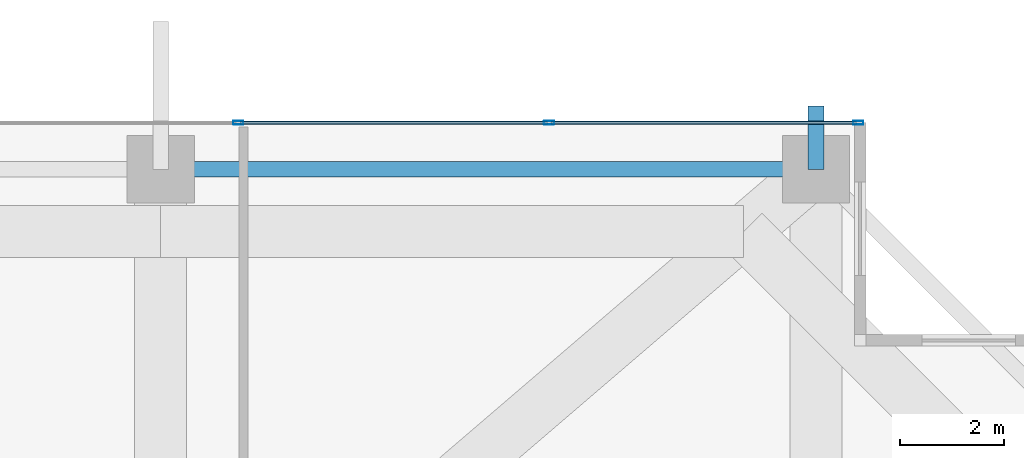
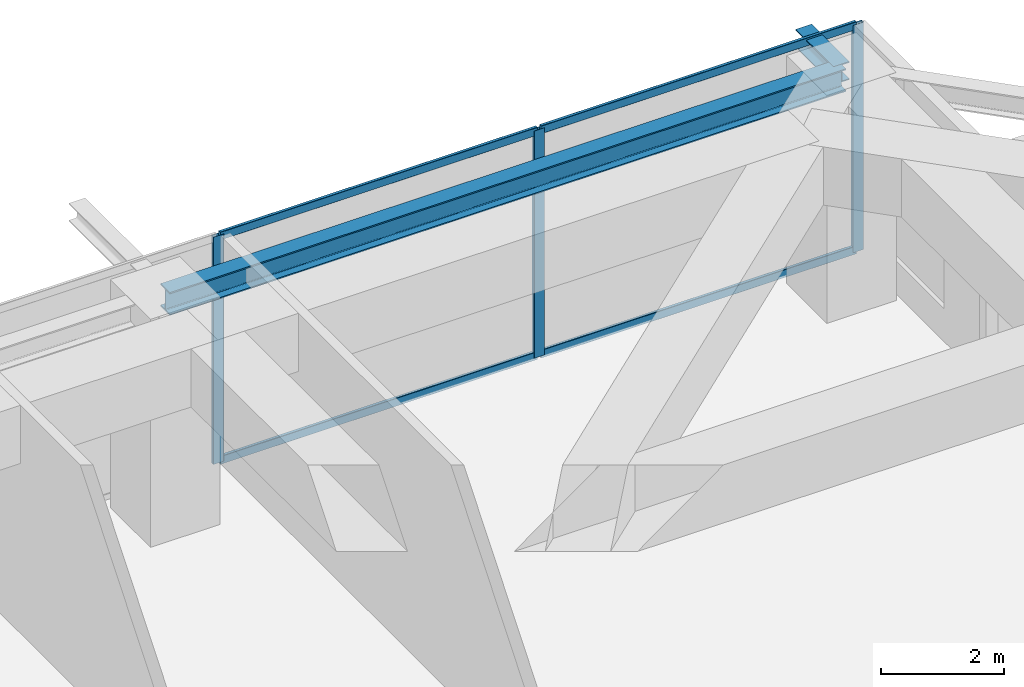
# One storey, part 26 of 35: 7 members, 2 beams, 1 element without a shape of its own.
"""IFC4 building model written with IfcOpenShell, lengths in metres."""

from ifc_helpers import new_model, si_unit, direction, frame, origin, origin_2d, place, context, subcontext, project, spatial, hollow_rectangle, i_section, extrude, source, transform, mapped, material, layer, layer_set, material_profile, profile_set, type_object, element, aggregate, save


model = new_model("IFC4")

# Units and contexts
model_context = context("Model", 3, precision=1e-05, world=origin(), true_north=direction((0.0, 1.0)))
body_context = subcontext(model_context, "Body", "Model", "MODEL_VIEW")
ifc_project = project(units=[si_unit("LENGTHUNIT", "METRE"), si_unit("AREAUNIT", "SQUARE_METRE"), si_unit("VOLUMEUNIT", "CUBIC_METRE"), si_unit("PLANEANGLEUNIT", "RADIAN"), si_unit("MASSUNIT", "GRAM", prefix="KILO")], contexts=[model_context])

# Site, building, storey
site_placement = place(None, origin())
site = spatial("IfcSite", under=ifc_project, at=site_placement, CompositionType="ELEMENT")
building_placement = place(site_placement, origin())
building = spatial("IfcBuilding", under=site, at=building_placement, Name="Serunith Strait Residences", CompositionType="ELEMENT")
storey_placement = place(building_placement, frame((0.0, 0.0, 115.199951171875)))
storey = spatial("IfcBuildingStorey", under=building, at=storey_placement, Name="L28", CompositionType="ELEMENT", Elevation=115.199951171875)

# Beams
ifc_material_1 = material(Name="Steel S355J2", Category="steel")
ifc_material_profile_1 = material_profile(ifc_material_1, i_section(OverallWidth=0.300048828125, OverallDepth=0.449951171875, WebThickness=0.013916015625, FlangeThickness=0.02587890625, FilletRadius=0.027099609375, at=origin_2d()), Name="HEB 450")
ifc_profile_set_1 = profile_set([ifc_material_profile_1], Name="Steel S355J2")
beam_type_1 = type_object("IfcBeamType", Name="BM-HEB450", PredefinedType="BEAM", material=ifc_profile_set_1)
shared_shape_1 = source(origin(), body_context, "Body", "SweptSolid", [
    extrude(i_section(OverallWidth=0.300048828125, OverallDepth=0.449951171875, WebThickness=0.013916015625, FlangeThickness=0.02587890625, FilletRadius=0.027099609375, at=origin_2d()), origin(), (0.0, 0.0, 1.0), 12.650146484375),
])
beam_1_placement = place(storey_placement, frame((49.550048828125, 49.300048828125, 4.281982421875), z_axis=(-1.0, 0.0, 0.0), x_axis=(0.0, -1.0, 0.0)))
element("IfcBeam", 1, at=beam_1_placement, inside=storey, type_object=beam_type_1, Name="L28 Perimeter Ring Beam 09", PredefinedType="BEAM", context=body_context, shape_type="MappedRepresentation", body=[
    mapped(shared_shape_1, transform((0.0, 0.0, 0.0), scale=1.0)),
])
ifc_material_profile_2 = material_profile(ifc_material_1, i_section(OverallWidth=0.300048828125, OverallDepth=0.360107421875, WebThickness=0.012451171875, FlangeThickness=0.0224609375, FilletRadius=0.027099609375, at=origin_2d()), Name="HEB 360")
ifc_profile_set_2 = profile_set([ifc_material_profile_2], Name="Steel S355J2")
beam_type_2 = type_object("IfcBeamType", Name="BM-HEB360", PredefinedType="BEAM", material=ifc_profile_set_2)
shared_shape_2 = source(origin(), body_context, "Body", "SweptSolid", [
    extrude(i_section(OverallWidth=0.300048828125, OverallDepth=0.360107421875, WebThickness=0.012451171875, FlangeThickness=0.0224609375, FilletRadius=0.027099609375, at=origin_2d()), origin(), (0.0, 0.0, 1.0), 1.222900390625),
])
beam_2_placement = place(storey_placement, frame((49.550048828125, 49.300048828125, 4.3271484375), z_axis=(0.0, 1.0, 0.0), x_axis=(-1.0, 0.0, 0.0)))
element("IfcBeam", 2, at=beam_2_placement, inside=storey, type_object=beam_type_2, Name="L29 Cantilevered Balcony Rib TC-N4", PredefinedType="BEAM", context=body_context, shape_type="MappedRepresentation", body=[
    mapped(shared_shape_2, transform((0.0, 0.0, 0.0), scale=1.0)),
])

# Curtain wall, members
ifc_material_2 = material(Name="Pale-Champagne Anodised Aluminium", Category="aluminium")
ifc_layer = layer(ifc_material_2, 0.199951171875, Name="Pale-Champagne Anodised Aluminium")
ifc_layer_set = layer_set([ifc_layer], Name="Pale-Champagne Anodised Aluminium")
curtain_wall_type = type_object("IfcCurtainWallType", Name="CW-SYS1", PredefinedType="NOTDEFINED", material=ifc_layer_set)
curtain_wall_placement = place(storey_placement, origin())
curtain_wall = element("IfcCurtainWall", 3, at=curtain_wall_placement, inside=storey, type_object=curtain_wall_type, Name="L28 N Unitised Fritted Curtain Wall", PredefinedType="NOTDEFINED")
ifc_material_profile_3 = material_profile(ifc_material_2, hollow_rectangle(XDim=0.06005859375, YDim=0.159912109375, WallThickness=0.00341796875, InnerFilletRadius=0.00537109375, OuterFilletRadius=0.0087890625, at=origin_2d()), Name="ALU 160x60x3.5")
ifc_profile_set_3 = profile_set([ifc_material_profile_3], Name="Pale-Champagne Anodised Aluminium")
member_type_1 = type_object("IfcMemberType", Name="CW-SYS1-TRAN", PredefinedType="USERDEFINED", material=ifc_profile_set_3)
shared_shape_3 = source(origin(), body_context, "Body", "SweptSolid", [
    extrude(hollow_rectangle(XDim=0.06005859375, YDim=0.159912109375, WallThickness=0.00341796875, InnerFilletRadius=0.00537109375, OuterFilletRadius=0.0087890625, at=origin_2d()), origin(), (0.0, 0.0, 1.0), 5.89501953125),
])
member_1_placement = place(storey_placement, frame((50.330078125, 50.199951171875, 0.030029296875), z_axis=(-1.0, 0.0, 0.0), x_axis=(0.0, -1.0, 0.0)))
member_1 = element("IfcMember", 4, at=member_1_placement, type_object=member_type_1, Name="CW-1 transom 1.1", ObjectType="TRANSOM", PredefinedType="USERDEFINED", context=body_context, shape_type="MappedRepresentation", body=[
    mapped(shared_shape_3, transform((0.0, 0.0, 0.0), scale=1.0)),
])
member_2_placement = place(storey_placement, frame((50.330078125, 50.199951171875, 4.465087890625), z_axis=(-1.0, 0.0, 0.0), x_axis=(0.0, -1.0, 0.0)))
member_2 = element("IfcMember", 5, at=member_2_placement, type_object=member_type_1, Name="CW-1 transom 1.2", ObjectType="TRANSOM", PredefinedType="USERDEFINED", context=body_context, shape_type="MappedRepresentation", body=[
    mapped(shared_shape_3, transform((0.0, 0.0, 0.0), scale=1.0)),
])
shared_shape_4 = source(origin(), body_context, "Body", "SweptSolid", [
    extrude(hollow_rectangle(XDim=0.06005859375, YDim=0.159912109375, WallThickness=0.00341796875, InnerFilletRadius=0.00537109375, OuterFilletRadius=0.0087890625, at=origin_2d()), origin(), (0.0, 0.0, 1.0), 5.929931640625),
])
member_3_placement = place(storey_placement, frame((44.364990234375, 50.199951171875, 0.030029296875), z_axis=(-1.0, 0.0, 0.0), x_axis=(0.0, -1.0, 0.0)))
member_3 = element("IfcMember", 6, at=member_3_placement, type_object=member_type_1, Name="CW-1 transom 2.1", ObjectType="TRANSOM", PredefinedType="USERDEFINED", context=body_context, shape_type="MappedRepresentation", body=[
    mapped(shared_shape_4, transform((0.0, 0.0, 0.0), scale=1.0)),
])
member_4_placement = place(storey_placement, frame((44.364990234375, 50.199951171875, 4.465087890625), z_axis=(-1.0, 0.0, 0.0), x_axis=(0.0, -1.0, 0.0)))
member_4 = element("IfcMember", 7, at=member_4_placement, type_object=member_type_1, Name="CW-1 transom 2.2", ObjectType="TRANSOM", PredefinedType="USERDEFINED", context=body_context, shape_type="MappedRepresentation", body=[
    mapped(shared_shape_4, transform((0.0, 0.0, 0.0), scale=1.0)),
])
ifc_material_profile_4 = material_profile(ifc_material_2, hollow_rectangle(XDim=0.070068359375, YDim=0.199951171875, WallThickness=0.00390625, InnerFilletRadius=0.006103515625, OuterFilletRadius=0.010009765625, at=origin_2d()), Name="ALU 200x70x4")
ifc_profile_set_4 = profile_set([ifc_material_profile_4], Name="Pale-Champagne Anodised Aluminium")
member_type_2 = type_object("IfcMemberType", Name="CW-SYS1-MULL", PredefinedType="MULLION", material=ifc_profile_set_4)
shared_shape_5 = source(origin(), body_context, "Body", "SweptSolid", [
    extrude(hollow_rectangle(XDim=0.070068359375, YDim=0.199951171875, WallThickness=0.00390625, InnerFilletRadius=0.006103515625, OuterFilletRadius=0.010009765625, at=origin_2d()), origin(), (0.0, 0.0, 1.0), 4.4951171875),
])
member_5_placement = place(storey_placement, frame((50.364990234375, 50.199951171875, 0.0), z_axis=(0.0, 0.0, 1.0), x_axis=(0.0, -1.0, 0.0)))
member_5 = element("IfcMember", 8, at=member_5_placement, type_object=member_type_2, Name="CW-1 mullion 1", PredefinedType="MULLION", context=body_context, shape_type="MappedRepresentation", body=[
    mapped(shared_shape_5, transform((0.0, 0.0, 0.0), scale=1.0)),
])
member_6_placement = place(storey_placement, frame((44.39990234375, 50.199951171875, 0.0), z_axis=(0.0, 0.0, 1.0), x_axis=(0.0, -1.0, 0.0)))
member_6 = element("IfcMember", 9, at=member_6_placement, type_object=member_type_2, Name="CW-1 mullion 2", PredefinedType="MULLION", context=body_context, shape_type="MappedRepresentation", body=[
    mapped(shared_shape_5, transform((0.0, 0.0, 0.0), scale=1.0)),
])
member_7_placement = place(storey_placement, frame((38.39990234375, 50.199951171875, 0.0), z_axis=(0.0, 0.0, 1.0), x_axis=(0.0, -1.0, 0.0)))
member_7 = element("IfcMember", 10, at=member_7_placement, type_object=member_type_2, Name="CW-1 mullion 3", PredefinedType="MULLION", context=body_context, shape_type="MappedRepresentation", body=[
    mapped(shared_shape_5, transform((0.0, 0.0, 0.0), scale=1.0)),
])
aggregate(curtain_wall, [member_5, member_6, member_7, member_1, member_2, member_3, member_4])

save(model, "model.ifc")
